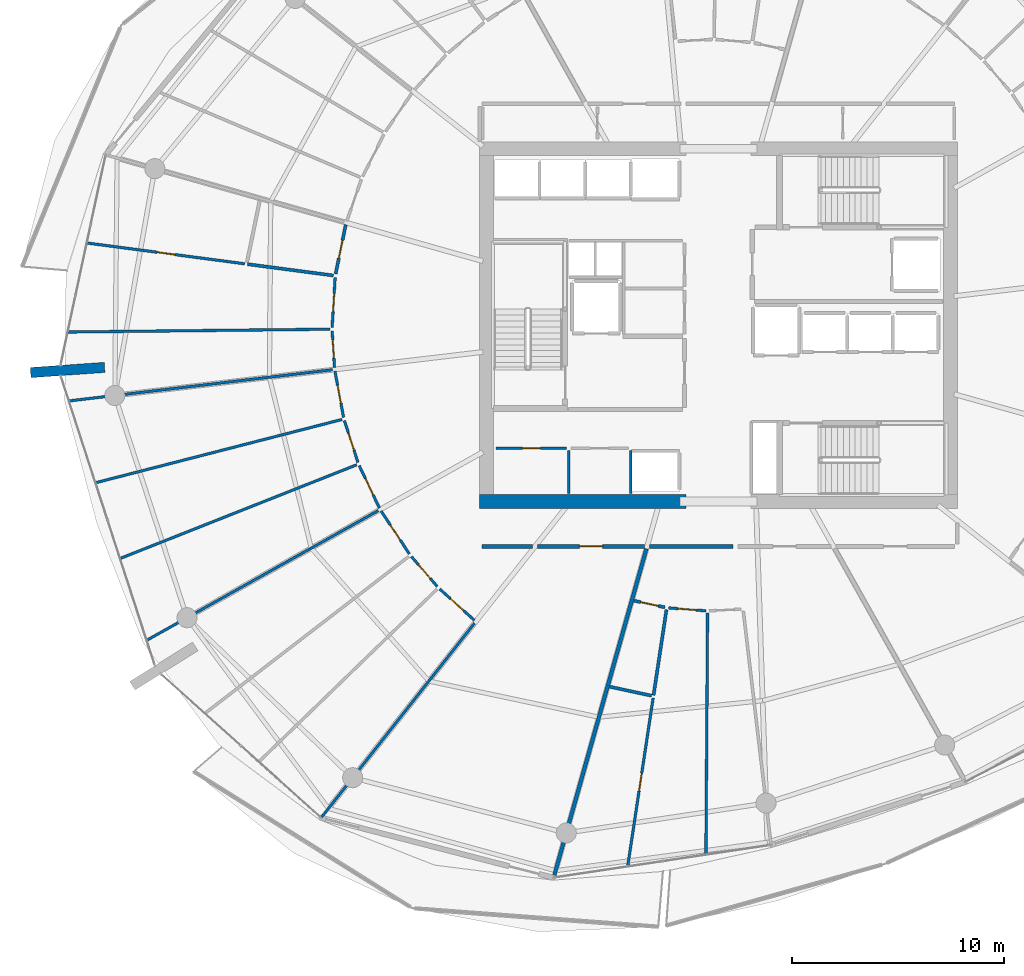
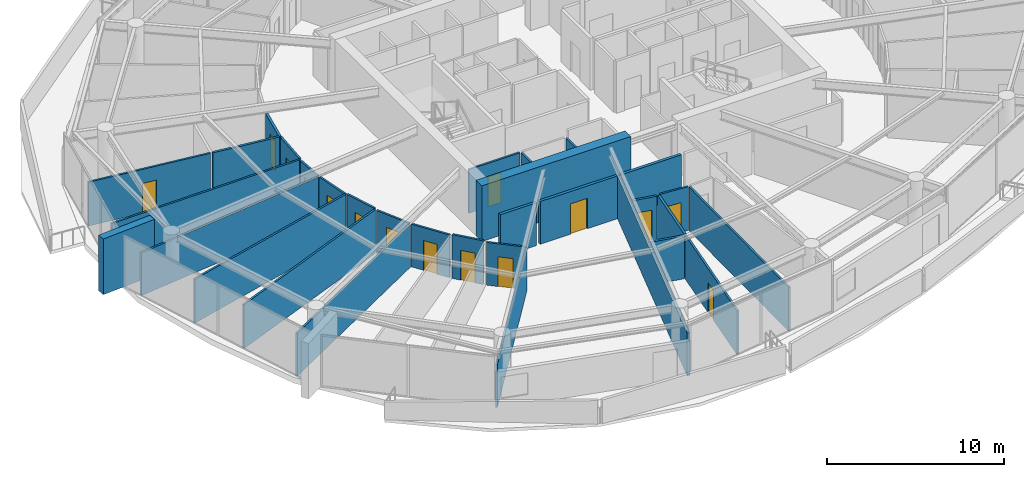
# One storey, part 18 of 30: 32 walls, 15 doors, 15 openings.
"""IFC4 building model written with IfcOpenShell, lengths in metres."""

import ifcopenshell
import ifcopenshell.guid

model = None  # the IFC model being written
_history = None  # IfcOwnerHistory: only IFC2X3 demands one
_inside = {}  # id of a spatial element -> (the spatial element, [elements in it])
_under = {}  # id of a project, library or spatial element -> (it, [spatial elements below it])
_declared = {}  # id of a project -> (the project, [libraries it declares])
_typed = {}  # id of a type object -> (the type object, [elements of that type])
_made_of = {}  # id of a material, layer set ... -> (it, [elements and type objects made of it])


def new_model(schema):
    """Start an empty IFC model of exactly this schema.

    Asked for "IFC4X3", IfcOpenShell would pick the latest addendum, in which some entities
    have other attributes; the version numbers below select the first issue.
    IFC2X3 requires an IfcOwnerHistory on every rooted entity: one is made here for all.
    """
    global model, _history
    if schema == "IFC4X3":
        model = ifcopenshell.file(schema_version=(4, 3, 0, 0))
    else:
        model = ifcopenshell.file(schema=schema)
    _inside.clear()
    _under.clear()
    _declared.clear()
    _typed.clear()
    _made_of.clear()
    _history = None
    if model.schema == "IFC2X3":
        org = make("IfcOrganization", Name="unknown")
        user = make(
            "IfcPersonAndOrganization",
            ThePerson=make("IfcPerson", FamilyName="unknown"),
            TheOrganization=org,
        )
        app = make(
            "IfcApplication",
            ApplicationDeveloper=org,
            Version="unknown",
            ApplicationFullName="unknown",
            ApplicationIdentifier="unknown",
        )
        _history = make(
            "IfcOwnerHistory",
            OwningUser=user,
            OwningApplication=app,
            ChangeAction="ADDED",
            CreationDate=0,
        )
    return model


def make(cls, **values):
    """One entity of the class cls with the attributes given. An attribute that is None is left unset."""
    return model.create_entity(
        cls, **{name: value for name, value in values.items() if value is not None}
    )


def rooted(cls, **values):
    """An entity with a GlobalId (a new one), such as an element, a storey or a relation."""
    return make(cls, GlobalId=ifcopenshell.guid.new(), OwnerHistory=_history, **values)


def si_unit(unit_type, name, prefix=None):
    """IfcSIUnit, for example si_unit("LENGTHUNIT", "METRE", prefix="MILLI")."""
    return make("IfcSIUnit", UnitType=unit_type, Prefix=prefix, Name=name)


def assignment(units):
    """IfcUnitAssignment: the units of a project."""
    return None if units is None else make("IfcUnitAssignment", Units=units)


def point(xyz):
    """IfcCartesianPoint."""
    return None if xyz is None else make("IfcCartesianPoint", Coordinates=xyz)


def direction(xyz):
    """IfcDirection."""
    return None if xyz is None else make("IfcDirection", DirectionRatios=xyz)


def frame(location, z_axis=None, x_axis=None):
    """IfcAxis2Placement3D, a coordinate frame: its origin and axes. An axis left out is left unset."""
    return make(
        "IfcAxis2Placement3D",
        Location=point(location),
        Axis=direction(z_axis),
        RefDirection=direction(x_axis),
    )


def frame_2d(location, x_axis=None):
    """IfcAxis2Placement2D, a coordinate frame in the plane: its origin and x axis."""
    return make(
        "IfcAxis2Placement2D", Location=point(location), RefDirection=direction(x_axis)
    )


def origin():
    """The frame at (0, 0, 0) with its axes left unset."""
    return frame((0.0, 0.0, 0.0))


def place(relative_to, where):
    """IfcLocalPlacement: puts the frame where relative to a parent placement (None: the world)."""
    return make(
        "IfcLocalPlacement", PlacementRelTo=relative_to, RelativePlacement=where
    )


def context(
    kind, dimensions, precision=None, world=None, true_north=None, identifier=None
):
    """IfcGeometricRepresentationContext, for example the 3D "Model" context."""
    return make(
        "IfcGeometricRepresentationContext",
        ContextIdentifier=identifier,
        ContextType=kind,
        CoordinateSpaceDimension=dimensions,
        Precision=precision,
        WorldCoordinateSystem=world,
        TrueNorth=true_north,
    )


def subcontext(parent, identifier, kind, view, scale=None):
    """IfcGeometricRepresentationSubContext, for example "Body" below "Model"."""
    return make(
        "IfcGeometricRepresentationSubContext",
        ContextIdentifier=identifier,
        ContextType=kind,
        ParentContext=parent,
        TargetScale=scale,
        TargetView=view,
    )


def project(units=None, contexts=None):
    """IfcProject with its units and contexts."""
    return rooted(
        "IfcProject",
        Name="project",
        RepresentationContexts=contexts,
        UnitsInContext=assignment(units),
    )


def spatial(cls, under=None, at=None, **own):
    """A site, building, storey or space (cls), placed at a placement, below another one or the project."""
    s = rooted(cls, ObjectPlacement=at, **own)
    if under is not None:
        _under.setdefault(under.id(), (under, []))[1].append(s)
    return s


def profile(cls, at=None, kind="AREA", **sizes):
    """A parametric profile (cls). Its sizes go by their IFC names, for example OverallWidth=200.0."""
    return make(cls, ProfileType=kind, Position=at, **sizes)


def rectangle(**sizes):
    """IfcRectangleProfileDef."""
    return profile("IfcRectangleProfileDef", **sizes)


def extrude(swept, where, along, depth):
    """IfcExtrudedAreaSolid: the profile swept, set in the frame where, extruded along a direction by depth."""
    return make(
        "IfcExtrudedAreaSolid",
        SweptArea=swept,
        Position=where,
        ExtrudedDirection=direction(along),
        Depth=depth,
    )


def shape(context_of_items, identifier, shape_type, items):
    """IfcShapeRepresentation: the items that make up one representation, for example the "Body"."""
    return make(
        "IfcShapeRepresentation",
        ContextOfItems=context_of_items,
        RepresentationIdentifier=identifier,
        RepresentationType=shape_type,
        Items=items,
    )


def material(Name=None, Category=None):
    """IfcMaterial."""
    return make("IfcMaterial", Name=Name, Category=Category)


def layer(
    of_material, thickness, ventilated=None, Name=None, Category=None, Priority=None
):
    """IfcMaterialLayer: one layer of a wall or slab, of a material (None: an air gap)."""
    return make(
        "IfcMaterialLayer",
        Material=of_material,
        LayerThickness=thickness,
        IsVentilated=ventilated,
        Name=Name,
        Category=Category,
        Priority=Priority,
    )


def layer_set(layers, Name=None):
    """IfcMaterialLayerSet."""
    return make("IfcMaterialLayerSet", MaterialLayers=layers, LayerSetName=Name)


def made_of(thing, what):
    """Note that an element or type object is made of a material, layer set ...; save() writes the relation."""
    if what is not None:
        _made_of.setdefault(what.id(), (what, []))[1].append(thing)
    return thing


def type_object(cls, material=None, **own):
    """A type object (cls), such as IfcWallType, which elements share."""
    return made_of(rooted(cls, **own), material)


def element(
    cls,
    number,
    at=None,
    inside=None,
    cuts=None,
    type_object=None,
    material=None,
    context=None,
    identifier="Body",
    shape_type=None,
    held_by="IfcProductDefinitionShape",
    body=None,
    shapes=None,
    **own,
):
    """One element of the class cls, such as IfcWall. Its Tag is "e" and its number.

    at: its placement. inside: the storey or other place that contains it. cuts: it is an
    opening in that element (IfcRelVoidsElement). A single representation is given by context,
    identifier, shape_type and body (its items); several are given by shapes. held_by: the class
    of the entity that holds the representations. save() writes the other relations.
    """
    e = rooted(cls, Tag="e%d" % number, ObjectPlacement=at, **own)
    if body is not None:
        shapes = [shape(context, identifier, shape_type, body)]
    if shapes is not None:
        e.Representation = make(held_by, Representations=shapes)
    if inside is not None:
        _inside.setdefault(inside.id(), (inside, []))[1].append(e)
    if cuts is not None:
        rooted(
            "IfcRelVoidsElement", RelatingBuildingElement=cuts, RelatedOpeningElement=e
        )
    if type_object is not None:
        _typed.setdefault(type_object.id(), (type_object, []))[1].append(e)
    return made_of(e, material)


def fill(opening, filler):
    """IfcRelFillsElement: the door or window that sits in an opening."""
    return rooted(
        "IfcRelFillsElement",
        RelatingOpeningElement=opening,
        RelatedBuildingElement=filler,
    )


def aggregate(whole, parts):
    """IfcRelAggregates: a whole, such as a stair, and the parts it consists of."""
    return rooted("IfcRelAggregates", RelatingObject=whole, RelatedObjects=parts)


def save(model, path):
    """Write the relations noted so far, then the file.

    IfcRelAggregates (storeys below a building ...), IfcRelContainedInSpatialStructure (elements
    in a storey), IfcRelDefinesByType, IfcRelAssociatesMaterial and IfcRelDeclares: one each for
    every whole, place, type object, material and project.
    """
    for whole, parts in _under.values():
        aggregate(whole, parts)
    for where, things in _inside.values():
        rooted(
            "IfcRelContainedInSpatialStructure",
            RelatedElements=things,
            RelatingStructure=where,
        )
    for kind, things in _typed.values():
        rooted("IfcRelDefinesByType", RelatedObjects=things, RelatingType=kind)
    for what, things in _made_of.values():
        rooted("IfcRelAssociatesMaterial", RelatedObjects=things, RelatingMaterial=what)
    for by, libraries in _declared.values():
        rooted("IfcRelDeclares", RelatingContext=by, RelatedDefinitions=libraries)
    model.write(path)


model = new_model("IFC4")

# Units and contexts
model_context = context("Model", 3, precision=1e-05, world=origin(), true_north=direction((0.0, 1.0)))
body_context = subcontext(model_context, "Body", "Model", "MODEL_VIEW")
ifc_project = project(units=[si_unit("LENGTHUNIT", "METRE"), si_unit("AREAUNIT", "SQUARE_METRE"), si_unit("VOLUMEUNIT", "CUBIC_METRE"), si_unit("PLANEANGLEUNIT", "RADIAN"), si_unit("MASSUNIT", "GRAM", prefix="KILO")], contexts=[model_context])

# Site, building, storey
site_placement = place(None, origin())
site = spatial("IfcSite", under=ifc_project, at=site_placement, CompositionType="ELEMENT")
building_placement = place(site_placement, origin())
building = spatial("IfcBuilding", under=site, at=building_placement, Name="Kazma Halo Residences", CompositionType="ELEMENT")
storey_placement = place(building_placement, frame((0.0, 0.0, 236.699951171875)))
storey = spatial("IfcBuildingStorey", under=building, at=storey_placement, Name="L59", CompositionType="ELEMENT", Elevation=236.699951171875)

# Walls
ifc_material_1 = material(Name="Pale Concrete C60/75", Category="concrete")
ifc_layer_1 = layer(ifc_material_1, 0.47998046875)
ifc_layer_set_1 = layer_set([ifc_layer_1], Name="Pale Concrete C60/75")
wall_type_1 = type_object("IfcWallType", Name="WL-BLADE-480", PredefinedType="SOLIDWALL", material=ifc_layer_set_1)
wall_1_placement = place(storey_placement, frame((19.4375, 40.002685546875, 0.0), z_axis=(0.0, 0.0, 1.0), x_axis=(-0.997563824095, -0.069759707979, 0.0)))
element("IfcWall", 1, at=wall_1_placement, inside=storey, type_object=wall_type_1, Name="L59 pale concrete structural blade fin wall BW-02", PredefinedType="SOLIDWALL", context=body_context, shape_type="SweptSolid", body=[
    extrude(rectangle(XDim=3.499755859375, YDim=0.47998046875, at=frame_2d((1.75, 0.0))), origin(), (0.0, 0.0, 1.0), 3.85009765625),
])
ifc_material_2 = material(Name="Concrete C60/75", Category="concrete")
ifc_layer_2 = layer(ifc_material_2, 0.64990234375)
ifc_layer_set_2 = layer_set([ifc_layer_2], Name="Concrete C60/75")
wall_type_2 = type_object("IfcWallType", Name="WL-CORE-650", PredefinedType="SHEAR", material=ifc_layer_set_2)
wall_2_placement = place(storey_placement, frame((37.14990234375, 33.675048828125, 0.0), z_axis=(0.0, 0.0, 1.0), x_axis=(1.0, 0.0, 0.0)))
element("IfcWall", 2, at=wall_2_placement, inside=storey, type_object=wall_type_2, Name="L59 central core shear wall SW", PredefinedType="SHEAR", context=body_context, shape_type="SweptSolid", body=[
    extrude(rectangle(XDim=9.75, YDim=0.64990234375, at=frame_2d((4.875, 0.0))), origin(), (0.0, 0.0, 1.0), 3.85009765625),
])
ifc_material_3 = material(Name="Acoustic Twin-Stud Gypsum")
ifc_layer_3 = layer(ifc_material_3, 0.179931640625)
ifc_layer_set_3 = layer_set([ifc_layer_3], Name="Acoustic Twin-Stud Gypsum")
wall_type_3 = type_object("IfcWallType", Name="WL-DEM-180", PredefinedType="PARTITIONING", material=ifc_layer_set_3)
wall_3_placement = place(storey_placement, frame((45.02294921875, 31.444091796875, 0.0), z_axis=(0.0, 0.0, 1.0), x_axis=(-0.271442063103, -0.962454781472, 0.0)))
element("IfcWall", 3, at=wall_3_placement, inside=storey, type_object=wall_type_3, Name="L59 apartment demising radial wall 10", PredefinedType="PARTITIONING", context=body_context, shape_type="SweptSolid", body=[
    extrude(rectangle(XDim=16.016845703125, YDim=0.179931640625, at=frame_2d((8.00830078125, 0.0))), origin(), (0.0, 0.0, 1.0), 2.95703125),
])

# Wall, opening, door
wall_4_placement = place(storey_placement, frame((39.8818359375, 31.550048828125, 0.0), z_axis=(0.0, 0.0, 1.0), x_axis=(1.0, 0.0, 0.0)))
wall_4 = element("IfcWall", 4, at=wall_4_placement, inside=storey, type_object=wall_type_3, Name="L59 Apartment 2 entrance corridor wall", PredefinedType="PARTITIONING", context=body_context, shape_type="SweptSolid", body=[
    extrude(rectangle(XDim=5.051025390625, YDim=0.179931640625, at=frame_2d((2.525390625, 0.0))), origin(), (0.0, 0.0, 1.0), 2.95703125),
])
opening_1_placement = place(wall_4_placement, frame((1.975341796875, 0.0, 0.0)))
opening_1 = element("IfcOpeningElement", 5, at=opening_1_placement, cuts=wall_4, Name="Opening DA-1100", PredefinedType="OPENING", context=body_context, shape_type="SweptSolid", body=[
    extrude(rectangle(XDim=1.10009765625, YDim=2.10009765625, at=frame_2d((0.550048828125, 1.050048828125))), frame((0.0, 0.099853515625, 0.0), z_axis=(0.0, -1.0, 0.0), x_axis=(1.0, 0.0, 0.0)), (0.0, 0.0, 1.0), 0.199951171875),
])
ifc_material_4 = material(Name="Acoustic Walnut Fire Leaf")
door_type_1 = type_object("IfcDoorType", Name="DR-FD60-1100", OperationType="NOTDEFINED", PredefinedType="DOOR", material=ifc_material_4)
door_1_placement = place(opening_1_placement, origin())
door_1 = element("IfcDoor", 6, at=door_1_placement, inside=storey, type_object=door_type_1, Name="L59 Apartment 2 entrance fire door", OperationType="SINGLE_SWING_RIGHT", OverallHeight=2.10009765625, OverallWidth=1.10009765625, PredefinedType="DOOR", context=body_context, shape_type="SweptSolid", body=[
    extrude(rectangle(XDim=1.10009765625, YDim=2.10009765625, at=frame_2d((0.550048828125, 1.050048828125))), frame((0.0, 0.02490234375, 0.0), z_axis=(0.0, -1.0, 0.0), x_axis=(1.0, 0.0, 0.0)), (0.0, 0.0, 1.0), 0.050048828125),
])
fill(opening_1, door_1)

# Walls
wall_5_placement = place(storey_placement, frame((37.27001953125, 31.550048828125, 0.0), z_axis=(0.0, 0.0, 1.0), x_axis=(1.0, 0.0, 0.0)))
element("IfcWall", 7, at=wall_5_placement, inside=storey, type_object=wall_type_3, Name="L59 Apartment 2 inner wall 8", PredefinedType="PARTITIONING", context=body_context, shape_type="SweptSolid", body=[
    extrude(rectangle(XDim=2.371826171875, YDim=0.179931640625, at=frame_2d((1.18603515625, 0.0))), origin(), (0.0, 0.0, 1.0), 2.95703125),
])
wall_6_placement = place(storey_placement, frame((45.1728515625, 31.550048828125, 0.0), z_axis=(0.0, 0.0, 1.0), x_axis=(1.0, 0.0, 0.0)))
element("IfcWall", 8, at=wall_6_placement, inside=storey, type_object=wall_type_3, Name="L59 Apartment 3 inner wall 10", PredefinedType="PARTITIONING", context=body_context, shape_type="SweptSolid", body=[
    extrude(rectangle(XDim=3.94384765625, YDim=0.179931640625, at=frame_2d((1.971923828125, 0.0))), origin(), (0.0, 0.0, 1.0), 2.95703125),
])
ifc_material_5 = material(Name="Gypsum Plasterboard Partition")
ifc_layer_4 = layer(ifc_material_5, 0.125)
ifc_layer_set_4 = layer_set([ifc_layer_4], Name="Gypsum Plasterboard Partition")
wall_type_4 = type_object("IfcWallType", Name="WL-PART-125", PredefinedType="PARTITIONING", material=ifc_layer_set_4)
for number, where, z_axis, x_axis, name in (
    (9, (44.280029296875, 34.050048828125, 0.0), (0.0, 0.0, 1.0), (0.0, 1.0, 0.0), "L59 reclaimed south east wall"),
    (10, (41.35009765625, 34.050048828125, 0.0), (0.0, 0.0, 1.0), (0.0, 1.0, 0.0), "L59 reclaimed south divider wall"),
):
    element("IfcWall", number, at=place(storey_placement, frame(where, z_axis=z_axis, x_axis=x_axis)), inside=storey, type_object=wall_type_4, Name=name, PredefinedType="PARTITIONING", context=body_context, shape_type="SweptSolid", body=[
        extrude(rectangle(XDim=2.030029296875, YDim=0.125, at=frame_2d((1.01513671875, 0.0))), origin(), (0.0, 0.0, 1.0), 3.030029296875),
    ])

# Wall, opening, door
wall_7_placement = place(storey_placement, frame((37.919921875, 36.179931640625, 0.0), z_axis=(0.0, 0.0, 1.0), x_axis=(1.0, 0.0, 0.0)))
wall_7 = element("IfcWall", 11, at=wall_7_placement, inside=storey, type_object=wall_type_4, Name="L59 reclaimed south W front wall", PredefinedType="PARTITIONING", context=body_context, shape_type="SweptSolid", body=[
    extrude(rectangle(XDim=3.330078125, YDim=0.125, at=frame_2d((1.6650390625, 0.0))), origin(), (0.0, 0.0, 1.0), 3.030029296875),
])
opening_2_placement = place(wall_7_placement, frame((1.239990234375, 0.0, 0.0)))
opening_2 = element("IfcOpeningElement", 12, at=opening_2_placement, cuts=wall_7, Name="Opening DS-850", PredefinedType="OPENING", context=body_context, shape_type="SweptSolid", body=[
    extrude(rectangle(XDim=0.85009765625, YDim=2.06005859375, at=frame_2d((0.425048828125, 1.030029296875))), frame((0.0, 0.072509765625, 0.0), z_axis=(0.0, -1.0, 0.0), x_axis=(1.0, 0.0, 0.0)), (0.0, 0.0, 1.0), 0.14501953125),
])
ifc_material_6 = material(Name="Painted Steel Access Leaf", Category="steel")
door_type_2 = type_object("IfcDoorType", Name="DR-SVC-850", OperationType="NOTDEFINED", PredefinedType="DOOR", material=ifc_material_6)
door_2_placement = place(opening_2_placement, origin())
door_2 = element("IfcDoor", 13, at=door_2_placement, inside=storey, type_object=door_type_2, Name="L59 reclaimed south W door", OperationType="SINGLE_SWING_RIGHT", OverallHeight=2.06005859375, OverallWidth=0.85009765625, PredefinedType="DOOR", context=body_context, shape_type="SweptSolid", body=[
    extrude(rectangle(XDim=0.85009765625, YDim=2.06005859375, at=frame_2d((0.425048828125, 1.030029296875))), frame((0.0, 0.02490234375, 0.0), z_axis=(0.0, -1.0, 0.0), x_axis=(1.0, 0.0, 0.0)), (0.0, 0.0, 1.0), 0.050048828125),
])
fill(opening_2, door_2)

wall_8_placement = place(storey_placement, frame((26.05615234375, 44.894775390625, 0.0), z_axis=(0.0, 0.0, 1.0), x_axis=(-0.991410678357, 0.130785575807, 0.0)))
wall_8 = element("IfcWall", 14, at=wall_8_placement, inside=storey, type_object=wall_type_4, Name="L59 Apartment 2 North Walk-In Wardrobe partition wall", PredefinedType="PARTITIONING", context=body_context, shape_type="SweptSolid", body=[
    extrude(rectangle(XDim=7.496826171875, YDim=0.125, at=frame_2d((3.74853515625, 0.0))), origin(), (0.0, 0.0, 1.0), 3.030029296875),
])
opening_3_placement = place(wall_8_placement, frame((3.3232421875, 0.0, 0.0)))
opening_3 = element("IfcOpeningElement", 15, at=opening_3_placement, cuts=wall_8, Name="Opening DB-900", PredefinedType="OPENING", context=body_context, shape_type="SweptSolid", body=[
    extrude(rectangle(XDim=0.85009765625, YDim=2.06005859375, at=frame_2d((0.425048828125, 1.030029296875))), frame((0.0, 0.072509765625, 0.0), z_axis=(0.0, -1.0, 0.0), x_axis=(1.0, 0.0, 0.0)), (0.0, 0.0, 1.0), 0.14501953125),
])
ifc_material_7 = material(Name="Moisture-Sealed Timber Leaf", Category="wood")
door_type_3 = type_object("IfcDoorType", Name="DR-BTH-900", OperationType="NOTDEFINED", PredefinedType="DOOR", material=ifc_material_7)
door_3_placement = place(opening_3_placement, origin())
door_3 = element("IfcDoor", 16, at=door_3_placement, inside=storey, type_object=door_type_3, Name="L59 Apartment 2 North Walk-In Wardrobe door", OperationType="SINGLE_SWING_LEFT", OverallHeight=2.06005859375, OverallWidth=0.85009765625, PredefinedType="DOOR", context=body_context, shape_type="SweptSolid", body=[
    extrude(rectangle(XDim=0.85009765625, YDim=2.06005859375, at=frame_2d((0.425048828125, 1.030029296875))), frame((0.0, 0.02490234375, 0.0), z_axis=(0.0, -1.0, 0.0), x_axis=(1.0, 0.0, 0.0)), (0.0, 0.0, 1.0), 0.050048828125),
])
fill(opening_3, door_3)

# Wall
wall_9_placement = place(storey_placement, frame((30.0869140625, 41.807373046875, 0.0), z_axis=(0.0, 0.0, 1.0), x_axis=(-0.999942101236, -0.010760770184, 0.0)))
element("IfcWall", 17, at=wall_9_placement, inside=storey, type_object=wall_type_4, Name="L59 Apartment 2 suite divider 6", PredefinedType="PARTITIONING", context=body_context, shape_type="SweptSolid", body=[
    extrude(rectangle(XDim=12.364990234375, YDim=0.125, at=frame_2d((6.1826171875, 0.0))), origin(), (0.0, 0.0, 1.0), 3.030029296875),
])

# Wall, opening, door
wall_10_placement = place(storey_placement, frame((30.32373046875, 44.2412109375, 0.0), z_axis=(0.0, 0.0, 1.0), x_axis=(-0.060172982702, -0.99818796434, 0.0)))
wall_10 = element("IfcWall", 18, at=wall_10_placement, inside=storey, type_object=wall_type_4, Name="L59 Apartment 2 South Formal Dining Room hall wall", PredefinedType="PARTITIONING", context=body_context, shape_type="SweptSolid", body=[
    extrude(rectangle(XDim=2.357177734375, YDim=0.125, at=frame_2d((1.1787109375, 0.0))), origin(), (0.0, 0.0, 1.0), 3.030029296875),
])
opening_4_placement = place(wall_10_placement, frame((0.753662109375, 0.0, 0.0)))
opening_4 = element("IfcOpeningElement", 19, at=opening_4_placement, cuts=wall_10, Name="Opening DB-900", PredefinedType="OPENING", context=body_context, shape_type="SweptSolid", body=[
    extrude(rectangle(XDim=0.85009765625, YDim=2.06005859375, at=frame_2d((0.425048828125, 1.030029296875))), frame((0.0, 0.072509765625, 0.0), z_axis=(0.0, -1.0, 0.0), x_axis=(1.0, 0.0, 0.0)), (0.0, 0.0, 1.0), 0.14501953125),
])
door_4_placement = place(opening_4_placement, origin())
door_4 = element("IfcDoor", 20, at=door_4_placement, inside=storey, type_object=door_type_3, Name="L59 Apartment 2 South Formal Dining Room door", OperationType="SINGLE_SWING_RIGHT", OverallHeight=2.06005859375, OverallWidth=0.85009765625, PredefinedType="DOOR", context=body_context, shape_type="SweptSolid", body=[
    extrude(rectangle(XDim=0.85009765625, YDim=2.06005859375, at=frame_2d((0.425048828125, 1.030029296875))), frame((0.0, 0.02490234375, 0.0), z_axis=(0.0, -1.0, 0.0), x_axis=(1.0, 0.0, 0.0)), (0.0, 0.0, 1.0), 0.050048828125),
])
fill(opening_4, door_4)

wall_11_placement = place(storey_placement, frame((30.18212890625, 41.728515625, 0.0), z_axis=(0.0, 0.0, 1.0), x_axis=(0.064314166279, -0.997929700939, 0.0)))
wall_11 = element("IfcWall", 21, at=wall_11_placement, inside=storey, type_object=wall_type_4, Name="L59 Apartment 2 Inner Master Bedroom hall wall", PredefinedType="PARTITIONING", context=body_context, shape_type="SweptSolid", body=[
    extrude(rectangle(XDim=1.727294921875, YDim=0.125, at=frame_2d((0.86376953125, 0.0))), origin(), (0.0, 0.0, 1.0), 2.95703125),
])
opening_5_placement = place(wall_11_placement, frame((0.438720703125, 0.0, 0.0)))
opening_5 = element("IfcOpeningElement", 22, at=opening_5_placement, cuts=wall_11, Name="Opening DB-900", PredefinedType="OPENING", context=body_context, shape_type="SweptSolid", body=[
    extrude(rectangle(XDim=0.85009765625, YDim=2.06005859375, at=frame_2d((0.425048828125, 1.030029296875))), frame((0.0, 0.072509765625, 0.0), z_axis=(0.0, -1.0, 0.0), x_axis=(1.0, 0.0, 0.0)), (0.0, 0.0, 1.0), 0.14501953125),
])
door_5_placement = place(opening_5_placement, origin())
door_5 = element("IfcDoor", 23, at=door_5_placement, inside=storey, type_object=door_type_3, Name="L59 Apartment 2 Inner Master Bedroom door", OperationType="SINGLE_SWING_LEFT", OverallHeight=2.06005859375, OverallWidth=0.85009765625, PredefinedType="DOOR", context=body_context, shape_type="SweptSolid", body=[
    extrude(rectangle(XDim=0.85009765625, YDim=2.06005859375, at=frame_2d((0.425048828125, 1.030029296875))), frame((0.0, 0.02490234375, 0.0), z_axis=(0.0, -1.0, 0.0), x_axis=(1.0, 0.0, 0.0)), (0.0, 0.0, 1.0), 0.050048828125),
])
fill(opening_5, door_5)

# Walls
wall_12_placement = place(storey_placement, frame((30.2001953125, 39.893310546875, 0.0), z_axis=(0.0, 0.0, 1.0), x_axis=(-0.993067601391, -0.117544625855, 0.0)))
element("IfcWall", 24, at=wall_12_placement, inside=storey, type_object=wall_type_4, Name="L59 Apartment 2 radial partition 7", PredefinedType="PARTITIONING", context=body_context, shape_type="SweptSolid", body=[
    extrude(rectangle(XDim=12.505615234375, YDim=0.125, at=frame_2d((6.2529296875, 0.0))), origin(), (0.0, 0.0, 1.0), 2.95703125),
])
wall_13_placement = place(storey_placement, frame((30.648681640625, 37.544921875, 0.0), z_axis=(0.0, 0.0, 1.0), x_axis=(-0.968582538379, -0.248692312602, 0.0)))
element("IfcWall", 25, at=wall_13_placement, inside=storey, type_object=wall_type_4, Name="L59 Apartment 2 bay wall 1 7", PredefinedType="PARTITIONING", context=body_context, shape_type="SweptSolid", body=[
    extrude(rectangle(XDim=11.989501953125, YDim=0.125, at=frame_2d((5.99462890625, 0.0))), origin(), (0.0, 0.0, 1.0), 3.030029296875),
])
wall_14_placement = place(storey_placement, frame((31.343994140625, 35.405517578125, 0.0), z_axis=(0.0, 0.0, 1.0), x_axis=(-0.929772783684, -0.368133903248, 0.0)))
element("IfcWall", 26, at=wall_14_placement, inside=storey, type_object=wall_type_4, Name="L59 Apartment 2 bay wall 2 7", PredefinedType="PARTITIONING", context=body_context, shape_type="SweptSolid", body=[
    extrude(rectangle(XDim=11.98974609375, YDim=0.125, at=frame_2d((5.994873046875, 0.0))), origin(), (0.0, 0.0, 1.0), 3.030029296875),
])

# Wall, opening, door
wall_15_placement = place(storey_placement, frame((30.314208984375, 39.826416015625, 0.0), z_axis=(0.0, 0.0, 1.0), x_axis=(0.183484349593, -0.983022631202, 0.0)))
wall_15 = element("IfcWall", 27, at=wall_15_placement, inside=storey, type_object=wall_type_4, Name="L59 Apartment 2 Outer Master Bedroom hall wall", PredefinedType="PARTITIONING", context=body_context, shape_type="SweptSolid", body=[
    extrude(rectangle(XDim=2.218017578125, YDim=0.125, at=frame_2d((1.10888671875, 0.0))), origin(), (0.0, 0.0, 1.0), 2.95703125),
])
opening_6_placement = place(wall_15_placement, frame((0.68408203125, 0.0, 0.0)))
opening_6 = element("IfcOpeningElement", 28, at=opening_6_placement, cuts=wall_15, Name="Opening DB-900", PredefinedType="OPENING", context=body_context, shape_type="SweptSolid", body=[
    extrude(rectangle(XDim=0.85009765625, YDim=2.06005859375, at=frame_2d((0.425048828125, 1.030029296875))), frame((0.0, 0.072509765625, 0.0), z_axis=(0.0, -1.0, 0.0), x_axis=(1.0, 0.0, 0.0)), (0.0, 0.0, 1.0), 0.14501953125),
])
door_6_placement = place(opening_6_placement, origin())
door_6 = element("IfcDoor", 29, at=door_6_placement, inside=storey, type_object=door_type_3, Name="L59 Apartment 2 Outer Master Bedroom door", OperationType="SINGLE_SWING_RIGHT", OverallHeight=2.06005859375, OverallWidth=0.85009765625, PredefinedType="DOOR", context=body_context, shape_type="SweptSolid", body=[
    extrude(rectangle(XDim=0.85009765625, YDim=2.06005859375, at=frame_2d((0.425048828125, 1.030029296875))), frame((0.0, 0.02490234375, 0.0), z_axis=(0.0, -1.0, 0.0), x_axis=(1.0, 0.0, 0.0)), (0.0, 0.0, 1.0), 0.050048828125),
])
fill(opening_6, door_6)

wall_16_placement = place(storey_placement, frame((30.7607421875, 37.4912109375, 0.0), z_axis=(0.0, 0.0, 1.0), x_axis=(0.309064822655, -0.951040974615, 0.0)))
wall_16 = element("IfcWall", 30, at=wall_16_placement, inside=storey, type_object=wall_type_4, Name="L59 Apartment 2 Corner Dressing Wardrobe hall wall", PredefinedType="PARTITIONING", context=body_context, shape_type="SweptSolid", body=[
    extrude(rectangle(XDim=2.078369140625, YDim=0.125, at=frame_2d((1.0390625, 0.0))), origin(), (0.0, 0.0, 1.0), 3.030029296875),
])
opening_7_placement = place(wall_16_placement, frame((0.6142578125, 0.0, 0.0)))
opening_7 = element("IfcOpeningElement", 31, at=opening_7_placement, cuts=wall_16, Name="Opening DB-900", PredefinedType="OPENING", context=body_context, shape_type="SweptSolid", body=[
    extrude(rectangle(XDim=0.85009765625, YDim=2.06005859375, at=frame_2d((0.425048828125, 1.030029296875))), frame((0.0, 0.072509765625, 0.0), z_axis=(0.0, -1.0, 0.0), x_axis=(1.0, 0.0, 0.0)), (0.0, 0.0, 1.0), 0.14501953125),
])
door_7_placement = place(opening_7_placement, origin())
door_7 = element("IfcDoor", 32, at=door_7_placement, inside=storey, type_object=door_type_3, Name="L59 Apartment 2 Corner Dressing Wardrobe door", OperationType="SINGLE_SWING_LEFT", OverallHeight=2.06005859375, OverallWidth=0.85009765625, PredefinedType="DOOR", context=body_context, shape_type="SweptSolid", body=[
    extrude(rectangle(XDim=0.85009765625, YDim=2.06005859375, at=frame_2d((0.425048828125, 1.030029296875))), frame((0.0, 0.02490234375, 0.0), z_axis=(0.0, -1.0, 0.0), x_axis=(1.0, 0.0, 0.0)), (0.0, 0.0, 1.0), 0.050048828125),
])
fill(opening_7, door_7)

wall_17_placement = place(storey_placement, frame((31.4619140625, 35.3662109375, 0.0), z_axis=(0.0, 0.0, 1.0), x_axis=(0.429382337396, -0.903122809109, 0.0)))
wall_17 = element("IfcWall", 33, at=wall_17_placement, inside=storey, type_object=wall_type_4, Name="L59 Apartment 2 Garden Master Bedroom hall wall", PredefinedType="PARTITIONING", context=body_context, shape_type="SweptSolid", body=[
    extrude(rectangle(XDim=2.218017578125, YDim=0.125, at=frame_2d((1.10888671875, 0.0))), origin(), (0.0, 0.0, 1.0), 2.95703125),
])
opening_8_placement = place(wall_17_placement, frame((0.68408203125, 0.0, 0.0)))
opening_8 = element("IfcOpeningElement", 34, at=opening_8_placement, cuts=wall_17, Name="Opening DB-900", PredefinedType="OPENING", context=body_context, shape_type="SweptSolid", body=[
    extrude(rectangle(XDim=0.85009765625, YDim=2.06005859375, at=frame_2d((0.425048828125, 1.030029296875))), frame((0.0, 0.072509765625, 0.0), z_axis=(0.0, -1.0, 0.0), x_axis=(1.0, 0.0, 0.0)), (0.0, 0.0, 1.0), 0.14501953125),
])
door_8_placement = place(opening_8_placement, origin())
door_8 = element("IfcDoor", 35, at=door_8_placement, inside=storey, type_object=door_type_3, Name="L59 Apartment 2 Garden Master Bedroom door", OperationType="SINGLE_SWING_RIGHT", OverallHeight=2.06005859375, OverallWidth=0.85009765625, PredefinedType="DOOR", context=body_context, shape_type="SweptSolid", body=[
    extrude(rectangle(XDim=0.85009765625, YDim=2.06005859375, at=frame_2d((0.425048828125, 1.030029296875))), frame((0.0, 0.02490234375, 0.0), z_axis=(0.0, -1.0, 0.0), x_axis=(1.0, 0.0, 0.0)), (0.0, 0.0, 1.0), 0.050048828125),
])
fill(opening_8, door_8)

# Walls
wall_18_placement = place(storey_placement, frame((32.361328125, 33.241943359375, 0.0), z_axis=(0.0, 0.0, 1.0), x_axis=(-0.872493698271, -0.488625364137, 0.0)))
element("IfcWall", 36, at=wall_18_placement, inside=storey, type_object=wall_type_4, Name="L59 Apartment 2 radial partition 8", PredefinedType="PARTITIONING", context=body_context, shape_type="SweptSolid", body=[
    extrude(rectangle(XDim=12.505615234375, YDim=0.125, at=frame_2d((6.2529296875, 0.0))), origin(), (0.0, 0.0, 1.0), 2.95703125),
])
wall_19_placement = place(storey_placement, frame((36.9033203125, 27.924072265625, 0.0), z_axis=(0.0, 0.0, 1.0), x_axis=(-0.619090039254, -0.785320013304, 0.0)))
element("IfcWall", 37, at=wall_19_placement, inside=storey, type_object=wall_type_4, Name="L59 Apartment 2 living radial partition 8", PredefinedType="PARTITIONING", context=body_context, shape_type="SweptSolid", body=[
    extrude(rectangle(XDim=11.671630859375, YDim=0.125, at=frame_2d((5.8359375, 0.0))), origin(), (0.0, 0.0, 1.0), 2.95703125),
])

# Wall, opening, door
wall_20_placement = place(storey_placement, frame((32.49267578125, 33.22412109375, 0.0), z_axis=(0.0, 0.0, 1.0), x_axis=(0.550632023565, -0.834748090519, 0.0)))
wall_20 = element("IfcWall", 38, at=wall_20_placement, inside=storey, type_object=wall_type_4, Name="L59 Apartment 2 Sky Master Bedroom hall wall", PredefinedType="PARTITIONING", context=body_context, shape_type="SweptSolid", body=[
    extrude(rectangle(XDim=2.427490234375, YDim=0.125, at=frame_2d((1.2138671875, 0.0))), origin(), (0.0, 0.0, 1.0), 2.95703125),
])
opening_9_placement = place(wall_20_placement, frame((0.788818359375, 0.0, 0.0)))
opening_9 = element("IfcOpeningElement", 39, at=opening_9_placement, cuts=wall_20, Name="Opening DB-900", PredefinedType="OPENING", context=body_context, shape_type="SweptSolid", body=[
    extrude(rectangle(XDim=0.85009765625, YDim=2.06005859375, at=frame_2d((0.425048828125, 1.030029296875))), frame((0.0, 0.072509765625, 0.0), z_axis=(0.0, -1.0, 0.0), x_axis=(1.0, 0.0, 0.0)), (0.0, 0.0, 1.0), 0.14501953125),
])
door_9_placement = place(opening_9_placement, origin())
door_9 = element("IfcDoor", 40, at=door_9_placement, inside=storey, type_object=door_type_3, Name="L59 Apartment 2 Sky Master Bedroom door", OperationType="SINGLE_SWING_LEFT", OverallHeight=2.06005859375, OverallWidth=0.85009765625, PredefinedType="DOOR", context=body_context, shape_type="SweptSolid", body=[
    extrude(rectangle(XDim=0.85009765625, YDim=2.06005859375, at=frame_2d((0.425048828125, 1.030029296875))), frame((0.0, 0.02490234375, 0.0), z_axis=(0.0, -1.0, 0.0), x_axis=(1.0, 0.0, 0.0)), (0.0, 0.0, 1.0), 0.050048828125),
])
fill(opening_9, door_9)

wall_21_placement = place(storey_placement, frame((33.92578125, 31.0703125, 0.0), z_axis=(0.0, 0.0, 1.0), x_axis=(0.653895348319, -0.756585007416, 0.0)))
wall_21 = element("IfcWall", 41, at=wall_21_placement, inside=storey, type_object=wall_type_4, Name="L59 Apartment 2 Gulf Dressing Wardrobe hall wall", PredefinedType="PARTITIONING", context=body_context, shape_type="SweptSolid", body=[
    extrude(rectangle(XDim=1.86865234375, YDim=0.125, at=frame_2d((0.934326171875, 0.0))), origin(), (0.0, 0.0, 1.0), 3.030029296875),
])
opening_10_placement = place(wall_21_placement, frame((0.509521484375, 0.0, 0.0)))
opening_10 = element("IfcOpeningElement", 42, at=opening_10_placement, cuts=wall_21, Name="Opening DB-900", PredefinedType="OPENING", context=body_context, shape_type="SweptSolid", body=[
    extrude(rectangle(XDim=0.85009765625, YDim=2.06005859375, at=frame_2d((0.425048828125, 1.030029296875))), frame((0.0, 0.072509765625, 0.0), z_axis=(0.0, -1.0, 0.0), x_axis=(1.0, 0.0, 0.0)), (0.0, 0.0, 1.0), 0.14501953125),
])
door_10_placement = place(opening_10_placement, origin())
door_10 = element("IfcDoor", 43, at=door_10_placement, inside=storey, type_object=door_type_3, Name="L59 Apartment 2 Gulf Dressing Wardrobe door", OperationType="SINGLE_SWING_RIGHT", OverallHeight=2.06005859375, OverallWidth=0.85009765625, PredefinedType="DOOR", context=body_context, shape_type="SweptSolid", body=[
    extrude(rectangle(XDim=0.85009765625, YDim=2.06005859375, at=frame_2d((0.425048828125, 1.030029296875))), frame((0.0, 0.02490234375, 0.0), z_axis=(0.0, -1.0, 0.0), x_axis=(1.0, 0.0, 0.0)), (0.0, 0.0, 1.0), 0.050048828125),
])
fill(opening_10, door_10)

wall_22_placement = place(storey_placement, frame((35.259521484375, 29.54248046875, 0.0), z_axis=(0.0, 0.0, 1.0), x_axis=(0.742286289791, -0.670082878447, 0.0)))
wall_22 = element("IfcWall", 44, at=wall_22_placement, inside=storey, type_object=wall_type_4, Name="L59 Apartment 2 Primary Master Bedroom hall wall", PredefinedType="PARTITIONING", context=body_context, shape_type="SweptSolid", body=[
    extrude(rectangle(XDim=2.218017578125, YDim=0.125, at=frame_2d((1.10888671875, 0.0))), origin(), (0.0, 0.0, 1.0), 2.95703125),
])
opening_11_placement = place(wall_22_placement, frame((0.68408203125, 0.0, 0.0)))
opening_11 = element("IfcOpeningElement", 45, at=opening_11_placement, cuts=wall_22, Name="Opening DB-900", PredefinedType="OPENING", context=body_context, shape_type="SweptSolid", body=[
    extrude(rectangle(XDim=0.85009765625, YDim=2.06005859375, at=frame_2d((0.425048828125, 1.030029296875))), frame((0.0, 0.072509765625, 0.0), z_axis=(0.0, -1.0, 0.0), x_axis=(1.0, 0.0, 0.0)), (0.0, 0.0, 1.0), 0.14501953125),
])
door_11_placement = place(opening_11_placement, origin())
door_11 = element("IfcDoor", 46, at=door_11_placement, inside=storey, type_object=door_type_3, Name="L59 Apartment 2 Primary Master Bedroom door", OperationType="SINGLE_SWING_LEFT", OverallHeight=2.06005859375, OverallWidth=0.85009765625, PredefinedType="DOOR", context=body_context, shape_type="SweptSolid", body=[
    extrude(rectangle(XDim=0.85009765625, YDim=2.06005859375, at=frame_2d((0.425048828125, 1.030029296875))), frame((0.0, 0.02490234375, 0.0), z_axis=(0.0, -1.0, 0.0), x_axis=(1.0, 0.0, 0.0)), (0.0, 0.0, 1.0), 0.050048828125),
])
fill(opening_11, door_11)

wall_23_placement = place(storey_placement, frame((45.338623046875, 24.39306640625, 0.0), z_axis=(0.0, 0.0, 1.0), x_axis=(-0.149441267911, -0.988770604056, 0.0)))
wall_23 = element("IfcWall", 47, at=wall_23_placement, inside=storey, type_object=wall_type_4, Name="L59 Apartment 3 Utility Laundry Room partition wall", PredefinedType="PARTITIONING", context=body_context, shape_type="SweptSolid", body=[
    extrude(rectangle(XDim=8.024658203125, YDim=0.125, at=frame_2d((4.01220703125, 0.0))), origin(), (0.0, 0.0, 1.0), 3.030029296875),
])
opening_12_placement = place(wall_23_placement, frame((3.58740234375, 0.0, 0.0)))
opening_12 = element("IfcOpeningElement", 48, at=opening_12_placement, cuts=wall_23, Name="Opening DB-900", PredefinedType="OPENING", context=body_context, shape_type="SweptSolid", body=[
    extrude(rectangle(XDim=0.85009765625, YDim=2.06005859375, at=frame_2d((0.425048828125, 1.030029296875))), frame((0.0, 0.072509765625, 0.0), z_axis=(0.0, -1.0, 0.0), x_axis=(1.0, 0.0, 0.0)), (0.0, 0.0, 1.0), 0.14501953125),
])
door_12_placement = place(opening_12_placement, origin())
door_12 = element("IfcDoor", 49, at=door_12_placement, inside=storey, type_object=door_type_3, Name="L59 Apartment 3 Utility Laundry Room door", OperationType="SINGLE_SWING_LEFT", OverallHeight=2.06005859375, OverallWidth=0.85009765625, PredefinedType="DOOR", context=body_context, shape_type="SweptSolid", body=[
    extrude(rectangle(XDim=0.85009765625, YDim=2.06005859375, at=frame_2d((0.425048828125, 1.030029296875))), frame((0.0, 0.02490234375, 0.0), z_axis=(0.0, -1.0, 0.0), x_axis=(1.0, 0.0, 0.0)), (0.0, 0.0, 1.0), 0.050048828125),
])
fill(opening_12, door_12)

# Wall
wall_24_placement = place(storey_placement, frame((47.90869140625, 28.413330078125, 0.0), z_axis=(0.0, 0.0, 1.0), x_axis=(-0.006746473149, -0.999977242291, 0.0)))
element("IfcWall", 50, at=wall_24_placement, inside=storey, type_object=wall_type_4, Name="L59 Apartment 3 suite divider 10", PredefinedType="PARTITIONING", context=body_context, shape_type="SweptSolid", body=[
    extrude(rectangle(XDim=11.399169921875, YDim=0.125, at=frame_2d((5.69970703125, 0.0))), origin(), (0.0, 0.0, 1.0), 3.030029296875),
])

# Wall, opening, door
wall_25_placement = place(storey_placement, frame((46.072509765625, 28.647705078125, 0.0), z_axis=(0.0, 0.0, 1.0), x_axis=(0.996920989634, -0.078412629257, 0.0)))
wall_25 = element("IfcWall", 51, at=wall_25_placement, inside=storey, type_object=wall_type_4, Name="L59 Apartment 3 Gourmet Kitchen hall wall", PredefinedType="PARTITIONING", context=body_context, shape_type="SweptSolid", body=[
    extrude(rectangle(XDim=1.76220703125, YDim=0.125, at=frame_2d((0.881103515625, 0.0))), origin(), (0.0, 0.0, 1.0), 3.030029296875),
])
opening_13_placement = place(wall_25_placement, frame((0.4560546875, 0.0, 0.0)))
opening_13 = element("IfcOpeningElement", 52, at=opening_13_placement, cuts=wall_25, Name="Opening DB-900", PredefinedType="OPENING", context=body_context, shape_type="SweptSolid", body=[
    extrude(rectangle(XDim=0.85009765625, YDim=2.06005859375, at=frame_2d((0.425048828125, 1.030029296875))), frame((0.0, 0.072509765625, 0.0), z_axis=(0.0, -1.0, 0.0), x_axis=(1.0, 0.0, 0.0)), (0.0, 0.0, 1.0), 0.14501953125),
])
door_13_placement = place(opening_13_placement, origin())
door_13 = element("IfcDoor", 53, at=door_13_placement, inside=storey, type_object=door_type_3, Name="L59 Apartment 3 Gourmet Kitchen door", OperationType="SINGLE_SWING_RIGHT", OverallHeight=2.06005859375, OverallWidth=0.85009765625, PredefinedType="DOOR", context=body_context, shape_type="SweptSolid", body=[
    extrude(rectangle(XDim=0.85009765625, YDim=2.06005859375, at=frame_2d((0.425048828125, 1.030029296875))), frame((0.0, 0.02490234375, 0.0), z_axis=(0.0, -1.0, 0.0), x_axis=(1.0, 0.0, 0.0)), (0.0, 0.0, 1.0), 0.050048828125),
])
fill(opening_13, door_13)

ifc_material_8 = material(Name="Moisture-Resistant Gypsum")
ifc_layer_5 = layer(ifc_material_8, 0.14990234375)
ifc_layer_set_5 = layer_set([ifc_layer_5], Name="Moisture-Resistant Gypsum")
wall_type_5 = type_object("IfcWallType", Name="WL-WET-150", PredefinedType="PARTITIONING", material=ifc_layer_set_5)
wall_26_placement = place(storey_placement, frame((30.824951171875, 46.740234375, 0.0), z_axis=(0.0, 0.0, 1.0), x_axis=(-0.201620944177, -0.979463626108, 0.0)))
wall_26 = element("IfcWall", 54, at=wall_26_placement, inside=storey, type_object=wall_type_5, Name="L59 Apartment 2 West En-Suite Bathroom hall wall", PredefinedType="PARTITIONING", context=body_context, shape_type="SweptSolid", body=[
    extrude(rectangle(XDim=2.36962890625, YDim=0.14990234375, at=frame_2d((1.184814453125, 0.0))), origin(), (0.0, 0.0, 1.0), 2.95703125),
])
opening_14_placement = place(wall_26_placement, frame((0.759765625, 0.0, 0.0)))
opening_14 = element("IfcOpeningElement", 55, at=opening_14_placement, cuts=wall_26, Name="Opening DB-900", PredefinedType="OPENING", context=body_context, shape_type="SweptSolid", body=[
    extrude(rectangle(XDim=0.85009765625, YDim=2.06005859375, at=frame_2d((0.425048828125, 1.030029296875))), frame((0.0, 0.0849609375, 0.0), z_axis=(0.0, -1.0, 0.0), x_axis=(1.0, 0.0, 0.0)), (0.0, 0.0, 1.0), 0.169921875),
])
door_14_placement = place(opening_14_placement, origin())
door_14 = element("IfcDoor", 56, at=door_14_placement, inside=storey, type_object=door_type_3, Name="L59 Apartment 2 West En-Suite Bathroom door", OperationType="SINGLE_SWING_RIGHT", OverallHeight=2.06005859375, OverallWidth=0.85009765625, PredefinedType="DOOR", context=body_context, shape_type="SweptSolid", body=[
    extrude(rectangle(XDim=0.85009765625, YDim=2.06005859375, at=frame_2d((0.425048828125, 1.030029296875))), frame((0.0, 0.02490234375, 0.0), z_axis=(0.0, -1.0, 0.0), x_axis=(1.0, 0.0, 0.0)), (0.0, 0.0, 1.0), 0.050048828125),
])
fill(opening_14, door_14)

# Wall
wall_27_placement = place(storey_placement, frame((30.239990234375, 44.343017578125, 0.0), z_axis=(0.0, 0.0, 1.0), x_axis=(-0.991418703785, 0.130724725227, 0.0)))
element("IfcWall", 57, at=wall_27_placement, inside=storey, type_object=wall_type_5, Name="L59 Apartment 2 West En-Suite Bathroom side wall", PredefinedType="PARTITIONING", context=body_context, shape_type="SweptSolid", body=[
    extrude(rectangle(XDim=4.090087890625, YDim=0.14990234375, at=frame_2d((2.044921875, 0.0))), origin(), (0.0, 0.0, 1.0), 3.030029296875),
])

# Wall, opening, door
wall_28_placement = place(storey_placement, frame((44.43408203125, 28.988525390625, 0.0), z_axis=(0.0, 0.0, 1.0), x_axis=(0.977543483976, -0.21073380587, 0.0)))
wall_28 = element("IfcWall", 58, at=wall_28_placement, inside=storey, type_object=wall_type_5, Name="L59 Apartment 3 Guest Bathroom hall wall", PredefinedType="PARTITIONING", context=body_context, shape_type="SweptSolid", body=[
    extrude(rectangle(XDim=1.494384765625, YDim=0.14990234375, at=frame_2d((0.7470703125, 0.0))), origin(), (0.0, 0.0, 1.0), 2.95703125),
])
opening_15_placement = place(wall_28_placement, frame((0.322021484375, 0.0, 0.0)))
opening_15 = element("IfcOpeningElement", 59, at=opening_15_placement, cuts=wall_28, Name="Opening DB-900", PredefinedType="OPENING", context=body_context, shape_type="SweptSolid", body=[
    extrude(rectangle(XDim=0.85009765625, YDim=2.06005859375, at=frame_2d((0.425048828125, 1.030029296875))), frame((0.0, 0.0849609375, 0.0), z_axis=(0.0, -1.0, 0.0), x_axis=(1.0, 0.0, 0.0)), (0.0, 0.0, 1.0), 0.169921875),
])
door_15_placement = place(opening_15_placement, origin())
door_15 = element("IfcDoor", 60, at=door_15_placement, inside=storey, type_object=door_type_3, Name="L59 Apartment 3 Guest Bathroom door", OperationType="SINGLE_SWING_RIGHT", OverallHeight=2.06005859375, OverallWidth=0.85009765625, PredefinedType="DOOR", context=body_context, shape_type="SweptSolid", body=[
    extrude(rectangle(XDim=0.85009765625, YDim=2.06005859375, at=frame_2d((0.425048828125, 1.030029296875))), frame((0.0, 0.02490234375, 0.0), z_axis=(0.0, -1.0, 0.0), x_axis=(1.0, 0.0, 0.0)), (0.0, 0.0, 1.0), 0.050048828125),
])
fill(opening_15, door_15)

# Walls
wall_29_placement = place(storey_placement, frame((43.288818359375, 24.927001953125, 0.0), z_axis=(0.0, 0.0, 1.0), x_axis=(0.977523973404, -0.210824290395, 0.0)))
element("IfcWall", 61, at=wall_29_placement, inside=storey, type_object=wall_type_5, Name="L59 Apartment 3 Guest Bathroom back wall", PredefinedType="PARTITIONING", context=body_context, shape_type="SweptSolid", body=[
    extrude(rectangle(XDim=2.020751953125, YDim=0.14990234375, at=frame_2d((1.01025390625, 0.0))), origin(), (0.0, 0.0, 1.0), 2.95703125),
])
wall_30_placement = place(storey_placement, frame((45.969482421875, 28.565673828125, 0.0), z_axis=(0.0, 0.0, 1.0), x_axis=(-0.149464107942, -0.988767151779, 0.0)))
element("IfcWall", 62, at=wall_30_placement, inside=storey, type_object=wall_type_5, Name="L59 Apartment 3 Guest Bathroom side wall", PredefinedType="PARTITIONING", context=body_context, shape_type="SweptSolid", body=[
    extrude(rectangle(XDim=4.090087890625, YDim=0.14990234375, at=frame_2d((2.044921875, 0.0))), origin(), (0.0, 0.0, 1.0), 3.030029296875),
])

save(model, "model.ifc")
